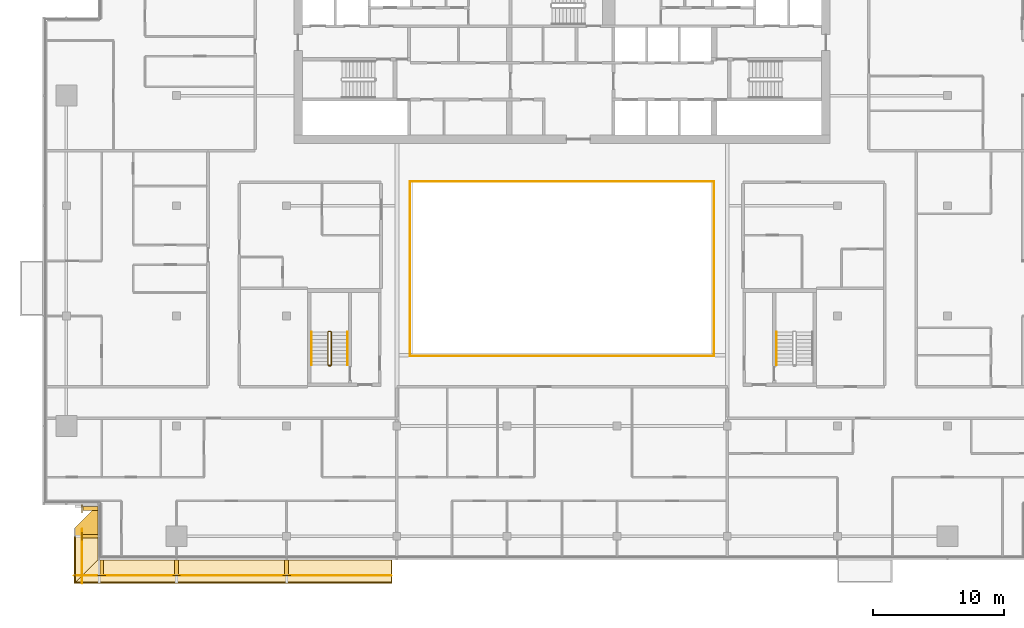
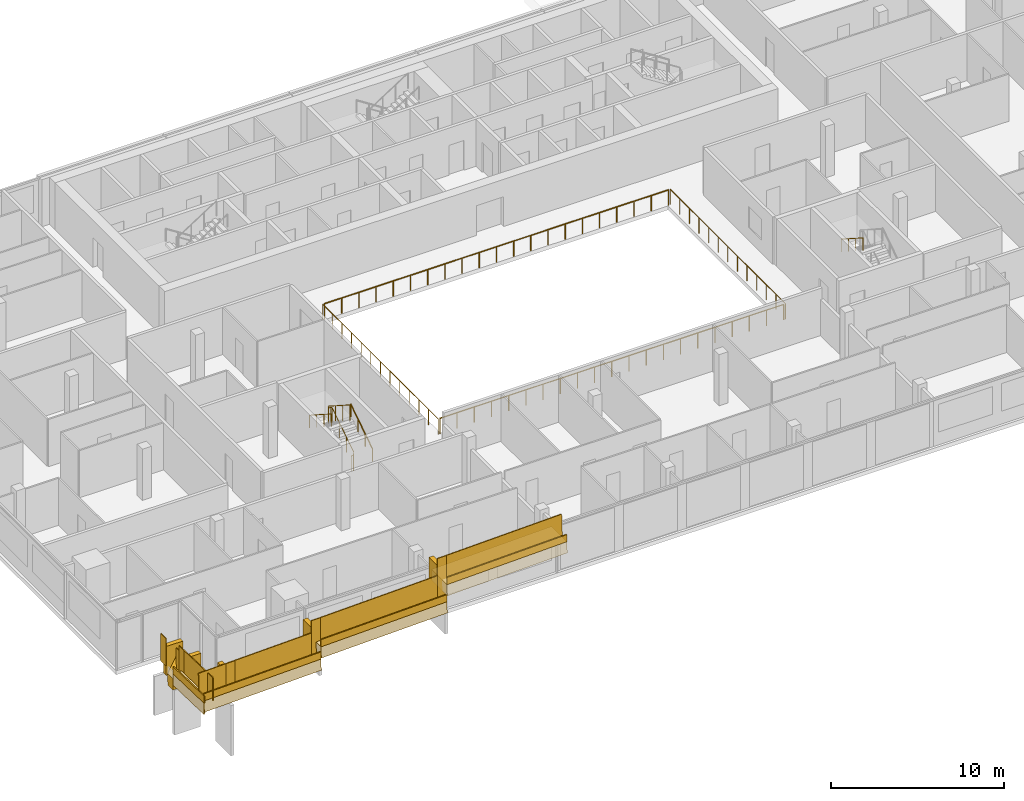
# One storey, part 25 of 29: 18 railings, 14 coverings.
"""IFC4 building model written with IfcOpenShell, lengths in metres."""

from ifc_helpers import new_model, si_unit, direction, frame, origin, origin_2d, place, context, subcontext, project, spatial, polyline, rectangle, circle, outline, extrude, material, layer, layer_set, type_object, element, save


model = new_model("IFC4")

# Units and contexts
model_context = context("Model", 3, precision=1e-05, world=origin(), true_north=direction((0.0, 1.0)))
body_context = subcontext(model_context, "Body", "Model", "MODEL_VIEW")
ifc_project = project(units=[si_unit("LENGTHUNIT", "METRE"), si_unit("AREAUNIT", "SQUARE_METRE"), si_unit("VOLUMEUNIT", "CUBIC_METRE"), si_unit("PLANEANGLEUNIT", "RADIAN"), si_unit("MASSUNIT", "GRAM", prefix="KILO")], contexts=[model_context])

# Site, building, storey
site_placement = place(None, origin())
site = spatial("IfcSite", under=ifc_project, at=site_placement, CompositionType="ELEMENT")
building_placement = place(site_placement, origin())
building = spatial("IfcBuilding", under=site, at=building_placement, Name="Saffron Gate Tower", CompositionType="ELEMENT")
storey_placement = place(building_placement, frame((0.0, 0.0, 227.10009765625)))
storey = spatial("IfcBuildingStorey", under=building, at=storey_placement, Name="L55", CompositionType="ELEMENT", Elevation=227.10009765625)

# Railings
ifc_material_1 = material(Name="Stainless steel and laminated glass", Category="steel")
railing_type_1 = type_object("IfcRailingType", Name="AG1 Atrium edge guard 1100", PredefinedType="GUARDRAIL", material=ifc_material_1)
railing_1_placement = place(storey_placement, frame((76.02001953125, 45.5400390625, 0.0)))
element("IfcRailing", 1, at=railing_1_placement, inside=storey, type_object=railing_type_1, Name="Guard D3-1", PredefinedType="GUARDRAIL", context=body_context, shape_type="SweptSolid", body=[
    extrude(circle(Radius=0.02392578125, at=origin_2d()), frame((0.0, 0.0, 1.076171875), z_axis=(0.0, 1.0, 0.0), x_axis=(-1.0, 0.0, 0.0)), (0.0, 0.0, 1.0), 13.320068359375),
    extrude(circle(Radius=0.02099609375, at=origin_2d()), origin(), (0.0, 0.0, 1.0), 1.052001953125),
    extrude(circle(Radius=0.02099609375, at=origin_2d()), frame((0.0, 1.110107421875, 0.0)), (0.0, 0.0, 1.0), 1.052001953125),
    extrude(circle(Radius=0.02099609375, at=origin_2d()), frame((0.0, 2.219970703125, 0.0)), (0.0, 0.0, 1.0), 1.052001953125),
    extrude(circle(Radius=0.02099609375, at=origin_2d()), frame((0.0, 3.330078125, 0.0)), (0.0, 0.0, 1.0), 1.052001953125),
    extrude(circle(Radius=0.02099609375, at=origin_2d()), frame((0.0, 4.43994140625, 0.0)), (0.0, 0.0, 1.0), 1.052001953125),
    extrude(circle(Radius=0.02099609375, at=origin_2d()), frame((0.0, 5.550048828125, 0.0)), (0.0, 0.0, 1.0), 1.052001953125),
    extrude(circle(Radius=0.02099609375, at=origin_2d()), frame((0.0, 6.66015625, 0.0)), (0.0, 0.0, 1.0), 1.052001953125),
    extrude(circle(Radius=0.02099609375, at=origin_2d()), frame((0.0, 7.77001953125, 0.0)), (0.0, 0.0, 1.0), 1.052001953125),
    extrude(circle(Radius=0.02099609375, at=origin_2d()), frame((0.0, 8.880126953125, 0.0)), (0.0, 0.0, 1.0), 1.052001953125),
    extrude(circle(Radius=0.02099609375, at=origin_2d()), frame((0.0, 9.989990234375, 0.0)), (0.0, 0.0, 1.0), 1.052001953125),
    extrude(circle(Radius=0.02099609375, at=origin_2d()), frame((0.0, 11.10009765625, 0.0)), (0.0, 0.0, 1.0), 1.052001953125),
    extrude(circle(Radius=0.02099609375, at=origin_2d()), frame((0.0, 12.2099609375, 0.0)), (0.0, 0.0, 1.0), 1.052001953125),
    extrude(circle(Radius=0.02099609375, at=origin_2d()), frame((0.0, 13.320068359375, 0.0)), (0.0, 0.0, 1.0), 1.052001953125),
])
railing_2_placement = place(storey_placement, frame((76.139892578125, 58.860107421875, 0.0)))
element("IfcRailing", 2, at=railing_2_placement, inside=storey, type_object=railing_type_1, Name="Guard D3-2", PredefinedType="GUARDRAIL", context=body_context, shape_type="SweptSolid", body=[
    extrude(circle(Radius=0.02392578125, at=origin_2d()), frame((0.0, 0.0, 1.076171875), z_axis=(1.0, 0.0, 0.0), x_axis=(0.0, 1.0, 0.0)), (0.0, 0.0, 1.0), 22.920166015625),
    extrude(circle(Radius=0.02099609375, at=origin_2d()), origin(), (0.0, 0.0, 1.0), 1.052001953125),
    extrude(circle(Radius=0.02099609375, at=origin_2d()), frame((1.14599609375, 0.0, 0.0)), (0.0, 0.0, 1.0), 1.052001953125),
    extrude(circle(Radius=0.02099609375, at=origin_2d()), frame((2.2919921875, 0.0, 0.0)), (0.0, 0.0, 1.0), 1.052001953125),
    extrude(circle(Radius=0.02099609375, at=origin_2d()), frame((3.43798828125, 0.0, 0.0)), (0.0, 0.0, 1.0), 1.052001953125),
    extrude(circle(Radius=0.02099609375, at=origin_2d()), frame((4.583984375, 0.0, 0.0)), (0.0, 0.0, 1.0), 1.052001953125),
    extrude(circle(Radius=0.02099609375, at=origin_2d()), frame((5.72998046875, 0.0, 0.0)), (0.0, 0.0, 1.0), 1.052001953125),
    extrude(circle(Radius=0.02099609375, at=origin_2d()), frame((6.8759765625, 0.0, 0.0)), (0.0, 0.0, 1.0), 1.052001953125),
    extrude(circle(Radius=0.02099609375, at=origin_2d()), frame((8.02197265625, 0.0, 0.0)), (0.0, 0.0, 1.0), 1.052001953125),
    extrude(circle(Radius=0.02099609375, at=origin_2d()), frame((9.16796875, 0.0, 0.0)), (0.0, 0.0, 1.0), 1.052001953125),
    extrude(circle(Radius=0.02099609375, at=origin_2d()), frame((10.31396484375, 0.0, 0.0)), (0.0, 0.0, 1.0), 1.052001953125),
    extrude(circle(Radius=0.02099609375, at=origin_2d()), frame((11.4599609375, 0.0, 0.0)), (0.0, 0.0, 1.0), 1.052001953125),
    extrude(circle(Radius=0.02099609375, at=origin_2d()), frame((12.606201171875, 0.0, 0.0)), (0.0, 0.0, 1.0), 1.052001953125),
    extrude(circle(Radius=0.02099609375, at=origin_2d()), frame((13.752197265625, 0.0, 0.0)), (0.0, 0.0, 1.0), 1.052001953125),
    extrude(circle(Radius=0.02099609375, at=origin_2d()), frame((14.898193359375, 0.0, 0.0)), (0.0, 0.0, 1.0), 1.052001953125),
    extrude(circle(Radius=0.02099609375, at=origin_2d()), frame((16.044189453125, 0.0, 0.0)), (0.0, 0.0, 1.0), 1.052001953125),
    extrude(circle(Radius=0.02099609375, at=origin_2d()), frame((17.190185546875, 0.0, 0.0)), (0.0, 0.0, 1.0), 1.052001953125),
    extrude(circle(Radius=0.02099609375, at=origin_2d()), frame((18.336181640625, 0.0, 0.0)), (0.0, 0.0, 1.0), 1.052001953125),
    extrude(circle(Radius=0.02099609375, at=origin_2d()), frame((19.482177734375, 0.0, 0.0)), (0.0, 0.0, 1.0), 1.052001953125),
    extrude(circle(Radius=0.02099609375, at=origin_2d()), frame((20.628173828125, 0.0, 0.0)), (0.0, 0.0, 1.0), 1.052001953125),
    extrude(circle(Radius=0.02099609375, at=origin_2d()), frame((21.774169921875, 0.0, 0.0)), (0.0, 0.0, 1.0), 1.052001953125),
    extrude(circle(Radius=0.02099609375, at=origin_2d()), frame((22.920166015625, 0.0, 0.0)), (0.0, 0.0, 1.0), 1.052001953125),
])
railing_3_placement = place(storey_placement, frame((99.179931640625, 58.860107421875, 0.0)))
element("IfcRailing", 3, at=railing_3_placement, inside=storey, type_object=railing_type_1, Name="Guard D3-3", PredefinedType="GUARDRAIL", context=body_context, shape_type="SweptSolid", body=[
    extrude(circle(Radius=0.02392578125, at=origin_2d()), frame((0.0, 0.0, 1.076171875), z_axis=(0.0, -1.0, 0.0), x_axis=(1.0, 0.0, 0.0)), (0.0, 0.0, 1.0), 13.320068359375),
    extrude(circle(Radius=0.02099609375, at=origin_2d()), origin(), (0.0, 0.0, 1.0), 1.052001953125),
    extrude(circle(Radius=0.02099609375, at=origin_2d()), frame((0.0, -1.110107421875, 0.0)), (0.0, 0.0, 1.0), 1.052001953125),
    extrude(circle(Radius=0.02099609375, at=origin_2d()), frame((0.0, -2.219970703125, 0.0)), (0.0, 0.0, 1.0), 1.052001953125),
    extrude(circle(Radius=0.02099609375, at=origin_2d()), frame((0.0, -3.330078125, 0.0)), (0.0, 0.0, 1.0), 1.052001953125),
    extrude(circle(Radius=0.02099609375, at=origin_2d()), frame((0.0, -4.43994140625, 0.0)), (0.0, 0.0, 1.0), 1.052001953125),
    extrude(circle(Radius=0.02099609375, at=origin_2d()), frame((0.0, -5.550048828125, 0.0)), (0.0, 0.0, 1.0), 1.052001953125),
    extrude(circle(Radius=0.02099609375, at=origin_2d()), frame((0.0, -6.66015625, 0.0)), (0.0, 0.0, 1.0), 1.052001953125),
    extrude(circle(Radius=0.02099609375, at=origin_2d()), frame((0.0, -7.77001953125, 0.0)), (0.0, 0.0, 1.0), 1.052001953125),
    extrude(circle(Radius=0.02099609375, at=origin_2d()), frame((0.0, -8.880126953125, 0.0)), (0.0, 0.0, 1.0), 1.052001953125),
    extrude(circle(Radius=0.02099609375, at=origin_2d()), frame((0.0, -9.989990234375, 0.0)), (0.0, 0.0, 1.0), 1.052001953125),
    extrude(circle(Radius=0.02099609375, at=origin_2d()), frame((0.0, -11.10009765625, 0.0)), (0.0, 0.0, 1.0), 1.052001953125),
    extrude(circle(Radius=0.02099609375, at=origin_2d()), frame((0.0, -12.2099609375, 0.0)), (0.0, 0.0, 1.0), 1.052001953125),
    extrude(circle(Radius=0.02099609375, at=origin_2d()), frame((0.0, -13.320068359375, 0.0)), (0.0, 0.0, 1.0), 1.052001953125),
])
railing_4_placement = place(storey_placement, frame((99.06005859375, 45.5400390625, 0.0)))
element("IfcRailing", 4, at=railing_4_placement, inside=storey, type_object=railing_type_1, Name="Guard D3-4", PredefinedType="GUARDRAIL", context=body_context, shape_type="SweptSolid", body=[
    extrude(circle(Radius=0.02392578125, at=origin_2d()), frame((0.0, 0.0, 1.076171875), z_axis=(-1.0, 0.0, 0.0), x_axis=(0.0, -1.0, 0.0)), (0.0, 0.0, 1.0), 22.920166015625),
    extrude(circle(Radius=0.02099609375, at=origin_2d()), origin(), (0.0, 0.0, 1.0), 1.052001953125),
    extrude(circle(Radius=0.02099609375, at=origin_2d()), frame((-1.14599609375, 0.0, 0.0)), (0.0, 0.0, 1.0), 1.052001953125),
    extrude(circle(Radius=0.02099609375, at=origin_2d()), frame((-2.2919921875, 0.0, 0.0)), (0.0, 0.0, 1.0), 1.052001953125),
    extrude(circle(Radius=0.02099609375, at=origin_2d()), frame((-3.43798828125, 0.0, 0.0)), (0.0, 0.0, 1.0), 1.052001953125),
    extrude(circle(Radius=0.02099609375, at=origin_2d()), frame((-4.583984375, 0.0, 0.0)), (0.0, 0.0, 1.0), 1.052001953125),
    extrude(circle(Radius=0.02099609375, at=origin_2d()), frame((-5.72998046875, 0.0, 0.0)), (0.0, 0.0, 1.0), 1.052001953125),
    extrude(circle(Radius=0.02099609375, at=origin_2d()), frame((-6.8759765625, 0.0, 0.0)), (0.0, 0.0, 1.0), 1.052001953125),
    extrude(circle(Radius=0.02099609375, at=origin_2d()), frame((-8.02197265625, 0.0, 0.0)), (0.0, 0.0, 1.0), 1.052001953125),
    extrude(circle(Radius=0.02099609375, at=origin_2d()), frame((-9.16796875, 0.0, 0.0)), (0.0, 0.0, 1.0), 1.052001953125),
    extrude(circle(Radius=0.02099609375, at=origin_2d()), frame((-10.31396484375, 0.0, 0.0)), (0.0, 0.0, 1.0), 1.052001953125),
    extrude(circle(Radius=0.02099609375, at=origin_2d()), frame((-11.4599609375, 0.0, 0.0)), (0.0, 0.0, 1.0), 1.052001953125),
    extrude(circle(Radius=0.02099609375, at=origin_2d()), frame((-12.606201171875, 0.0, 0.0)), (0.0, 0.0, 1.0), 1.052001953125),
    extrude(circle(Radius=0.02099609375, at=origin_2d()), frame((-13.752197265625, 0.0, 0.0)), (0.0, 0.0, 1.0), 1.052001953125),
    extrude(circle(Radius=0.02099609375, at=origin_2d()), frame((-14.898193359375, 0.0, 0.0)), (0.0, 0.0, 1.0), 1.052001953125),
    extrude(circle(Radius=0.02099609375, at=origin_2d()), frame((-16.044189453125, 0.0, 0.0)), (0.0, 0.0, 1.0), 1.052001953125),
    extrude(circle(Radius=0.02099609375, at=origin_2d()), frame((-17.190185546875, 0.0, 0.0)), (0.0, 0.0, 1.0), 1.052001953125),
    extrude(circle(Radius=0.02099609375, at=origin_2d()), frame((-18.336181640625, 0.0, 0.0)), (0.0, 0.0, 1.0), 1.052001953125),
    extrude(circle(Radius=0.02099609375, at=origin_2d()), frame((-19.482177734375, 0.0, 0.0)), (0.0, 0.0, 1.0), 1.052001953125),
    extrude(circle(Radius=0.02099609375, at=origin_2d()), frame((-20.628173828125, 0.0, 0.0)), (0.0, 0.0, 1.0), 1.052001953125),
    extrude(circle(Radius=0.02099609375, at=origin_2d()), frame((-21.774169921875, 0.0, 0.0)), (0.0, 0.0, 1.0), 1.052001953125),
    extrude(circle(Radius=0.02099609375, at=origin_2d()), frame((-22.920166015625, 0.0, 0.0)), (0.0, 0.0, 1.0), 1.052001953125),
])
railing_type_2 = type_object("IfcRailingType", Name="CR1 Stair guard 1100", PredefinedType="GUARDRAIL", material=ifc_material_1)
railing_5_placement = place(storey_placement, frame((69.800048828125, 44.800048828125, 0.0)))
element("IfcRailing", 5, at=railing_5_placement, inside=storey, type_object=railing_type_2, Name="L55 ST-D stair guard 1", PredefinedType="GUARDRAIL", context=body_context, shape_type="SweptSolid", body=[
    extrude(circle(Radius=0.02392578125, at=origin_2d()), frame((0.0, 0.0, 1.076171875), z_axis=(1.0, 0.0, 0.0), x_axis=(0.0, 1.0, 0.0)), (0.0, 0.0, 1.0), 0.14990234375),
    extrude(circle(Radius=0.02392578125, at=origin_2d()), frame((0.14990234375, 0.0, 1.076171875), z_axis=(0.258847668887, 0.258847668887, 0.930588936439), x_axis=(-0.707106781187, 0.707106781187, 0.0)), (0.0, 0.0, 1.0), 0.193359375),
    extrude(circle(Radius=0.02392578125, at=origin_2d()), frame((0.199951171875, 0.050048828125, 1.255859375), z_axis=(0.0, 0.841199657755, 0.540724639528), x_axis=(-1.0, 0.0, 0.0)), (0.0, 0.0, 1.0), 2.995849609375),
    extrude(circle(Radius=0.02392578125, at=origin_2d()), frame((0.199951171875, 2.570068359375, 2.8759765625), z_axis=(-0.708833529934, 0.705375805398, 0.0), x_axis=(-0.705375805398, -0.708833529934, 0.0)), (0.0, 0.0, 1.0), 0.070556640625),
    extrude(circle(Radius=0.02392578125, at=origin_2d()), frame((0.14990234375, 2.619873046875, 2.8759765625), z_axis=(-1.0, 0.0, 0.0), x_axis=(0.0, -1.0, 0.0)), (0.0, 0.0, 1.0), 0.14990234375),
    extrude(circle(Radius=0.02392578125, at=origin_2d()), frame((0.0, 2.619873046875, 2.8759765625), z_axis=(-0.258627984543, -0.257366384619, 0.931060744355), x_axis=(0.705375805398, -0.708833529934, 0.0)), (0.0, 0.0, 1.0), 0.193603515625),
    extrude(circle(Radius=0.02392578125, at=origin_2d()), frame((-0.050048828125, 2.570068359375, 3.05615234375), z_axis=(0.0, -0.841199657755, 0.540724639528), x_axis=(1.0, 0.0, 0.0)), (0.0, 0.0, 1.0), 2.995849609375),
    extrude(circle(Radius=0.02099609375, at=origin_2d()), origin(), (0.0, 0.0, 1.0), 1.052001953125),
    extrude(circle(Radius=0.02099609375, at=origin_2d()), frame((0.14990234375, 0.0, 0.0)), (0.0, 0.0, 1.0), 1.052001953125),
    extrude(circle(Radius=0.02099609375, at=origin_2d()), frame((0.199951171875, 0.050048828125, 0.179931640625)), (0.0, 0.0, 1.0), 1.052001953125),
    extrude(circle(Radius=0.02099609375, at=origin_2d()), frame((0.199951171875, 0.89013671875, 0.719970703125)), (0.0, 0.0, 1.0), 1.052001953125),
    extrude(circle(Radius=0.02099609375, at=origin_2d()), frame((0.199951171875, 1.72998046875, 1.259765625)), (0.0, 0.0, 1.0), 1.052001953125),
    extrude(circle(Radius=0.02099609375, at=origin_2d()), frame((0.199951171875, 2.570068359375, 1.7998046875)), (0.0, 0.0, 1.0), 1.052001953125),
    extrude(circle(Radius=0.02099609375, at=origin_2d()), frame((0.14990234375, 2.619873046875, 1.7998046875)), (0.0, 0.0, 1.0), 1.052001953125),
    extrude(circle(Radius=0.02099609375, at=origin_2d()), frame((0.0, 2.619873046875, 1.7998046875)), (0.0, 0.0, 1.0), 1.052001953125),
    extrude(circle(Radius=0.02099609375, at=origin_2d()), frame((-0.050048828125, 2.570068359375, 1.97998046875)), (0.0, 0.0, 1.0), 1.052001953125),
    extrude(circle(Radius=0.02099609375, at=origin_2d()), frame((-0.050048828125, 1.72998046875, 2.52001953125)), (0.0, 0.0, 1.0), 1.052001953125),
    extrude(circle(Radius=0.02099609375, at=origin_2d()), frame((-0.050048828125, 0.89013671875, 3.059814453125)), (0.0, 0.0, 1.0), 1.052001953125),
    extrude(circle(Radius=0.02099609375, at=origin_2d()), frame((-0.050048828125, 0.050048828125, 3.599853515625)), (0.0, 0.0, 1.0), 1.052001953125),
])
ifc_material_2 = material(Name="Stainless steel", Category="steel")
railing_type_3 = type_object("IfcRailingType", Name="CR2 Stair handrail 900", PredefinedType="HANDRAIL", material=ifc_material_2)
railing_6_placement = place(storey_placement, frame((71.25, 44.85009765625, 0.179931640625)))
element("IfcRailing", 6, at=railing_6_placement, inside=storey, type_object=railing_type_3, Name="L55 ST-D stair handrail 1", PredefinedType="HANDRAIL", context=body_context, shape_type="SweptSolid", body=[
    extrude(circle(Radius=0.02392578125, at=origin_2d()), frame((0.0, 0.0, 0.8759765625), z_axis=(0.0, 0.841199657755, 0.540724639528), x_axis=(-1.0, 0.0, 0.0)), (0.0, 0.0, 1.0), 2.995849609375),
    extrude(circle(Radius=0.02099609375, at=origin_2d()), origin(), (0.0, 0.0, 1.0), 0.851806640625),
    extrude(circle(Radius=0.02099609375, at=origin_2d()), frame((0.0, 0.840087890625, 0.5400390625)), (0.0, 0.0, 1.0), 0.851806640625),
    extrude(circle(Radius=0.02099609375, at=origin_2d()), frame((0.0, 1.679931640625, 1.079833984375)), (0.0, 0.0, 1.0), 0.851806640625),
    extrude(circle(Radius=0.02099609375, at=origin_2d()), frame((0.0, 2.52001953125, 1.619873046875)), (0.0, 0.0, 1.0), 0.851806640625),
])
for number, where, name in (
    (7, (68.5, 47.3701171875, 1.97998046875), "L55 ST-D stair handrail 2"),
    (8, (103.949951171875, 47.3701171875, 1.97998046875), "L55 ST-E stair handrail 2"),
):
    element("IfcRailing", number, at=place(storey_placement, frame(where)), inside=storey, type_object=railing_type_3, Name=name, PredefinedType="HANDRAIL", context=body_context, shape_type="SweptSolid", body=[
        extrude(circle(Radius=0.02392578125, at=origin_2d()), frame((0.0, 0.0, 0.8759765625), z_axis=(0.0, -0.841199657755, 0.540724639528), x_axis=(1.0, 0.0, 0.0)), (0.0, 0.0, 1.0), 2.995849609375),
        extrude(circle(Radius=0.02099609375, at=origin_2d()), origin(), (0.0, 0.0, 1.0), 0.851806640625),
        extrude(circle(Radius=0.02099609375, at=origin_2d()), frame((0.0, -0.840087890625, 0.5400390625)), (0.0, 0.0, 1.0), 0.851806640625),
        extrude(circle(Radius=0.02099609375, at=origin_2d()), frame((0.0, -1.679931640625, 1.079833984375)), (0.0, 0.0, 1.0), 0.851806640625),
        extrude(circle(Radius=0.02099609375, at=origin_2d()), frame((0.0, -2.52001953125, 1.619873046875)), (0.0, 0.0, 1.0), 0.851806640625),
    ])

# Coverings
ifc_material_3 = material(Name="Timber, thermally modified ash", Category="wood")
ifc_layer_1 = layer(ifc_material_3, 0.800048828125)
ifc_layer_set_1 = layer_set([ifc_layer_1], Name="LD1 ledge timber")
covering_type_1 = type_object("IfcCoveringType", Name="LD1 ledge timber", PredefinedType="CLADDING", material=ifc_layer_set_1)
covering_1_placement = place(storey_placement, frame((52.199951171875, 34.199951171875, 0.0078125), z_axis=(-2.8677152e-05, 0.028798988267, 0.999585222706), x_axis=(-6.17e-10, -0.999585223117, 0.028798988279)))
element("IfcCovering", 9, at=covering_1_placement, inside=storey, type_object=covering_type_1, Name="LEDGE", PredefinedType="CLADDING", context=body_context, shape_type="SweptSolid", body=[
    extrude(outline(polyline([(0.0, 0.0), (2.400896693585025, -4.235164736271502e-22), (2.400896694694882, -1.8000488273848385), (1.8007927832284332, -1.8000488292351673), (0.0, 0.0)])), origin(), (0.0, 0.0, -1.0), 0.800048828125),
])
covering_2_placement = place(storey_placement, frame((52.199951171875, 31.800048828125, 0.419921875), z_axis=(0.0, 0.028741681402, 0.999586872538), x_axis=(0.0, -0.999586872538, 0.028741681402)))
element("IfcCovering", 10, at=covering_2_placement, inside=storey, type_object=covering_type_1, Name="LEDGE", PredefinedType="CLADDING", context=body_context, shape_type="SweptSolid", body=[
    extrude(outline(polyline([(0.0, 0.0), (1.8007927850779974, 0.0), (3.601585570155995, -1.800048828125), (0.0, -1.800048828125), (0.0, 0.0)])), origin(), (0.0, 0.0, -1.0), 0.800048828125),
])
covering_3_placement = place(storey_placement, frame((52.199951171875, 30.0, 0.72900390625), z_axis=(-0.028807146299, -3.5027307e-05, 0.99958498743), x_axis=(0.999584988043, -3.68e-10, 0.028807146316)))
element("IfcCovering", 11, at=covering_3_placement, inside=storey, type_object=covering_type_1, Name="LEDGE", PredefinedType="CLADDING", context=body_context, shape_type="SweptSolid", body=[
    extrude(outline(polyline([(0.0, 0.0), (6.0024892885105, 2.541098841762901e-21), (6.002489289172793, -1.8000488270207489), (-1.800799813548424, -1.8000488321003227), (0.0, 0.0)])), origin(), (0.0, 0.0, -1.0), 0.800048828125),
])
covering_4_placement = place(storey_placement, frame((58.199951171875, 30.0, 1.75927734375), z_axis=(-0.028790339263, 0.0, 0.999585472266), x_axis=(0.999585472266, 0.0, 0.028790339263)))
element("IfcCovering", 12, at=covering_4_placement, inside=storey, type_object=covering_type_1, Name="LEDGE", PredefinedType="CLADDING", context=body_context, shape_type="SweptSolid", body=[
    extrude(outline(polyline([(0.0, 0.0), (8.403630022085892, 0.0), (8.403630022085892, -1.800048828125), (0.0, -1.800048828125), (0.0, 0.0)])), origin(), (0.0, 0.0, -1.0), 0.800048828125),
])
covering_5_placement = place(storey_placement, frame((66.60009765625, 30.0, 3.201416015625), z_axis=(-0.028796646555, 0.0, 0.999585290582), x_axis=(0.999585290582, 0.0, 0.028796646555)))
element("IfcCovering", 13, at=covering_5_placement, inside=storey, type_object=covering_type_1, Name="LEDGE", PredefinedType="CLADDING", context=body_context, shape_type="SweptSolid", body=[
    extrude(outline(polyline([(0.0, 0.0), (8.003319051788862, 0.0), (8.003319051788862, -1.800048828125), (0.0, -1.800048828125), (0.0, 0.0)])), origin(), (0.0, 0.0, -1.0), 0.800048828125),
])
ifc_layer_2 = layer(ifc_material_3, 0.080078125)
ifc_layer_set_2 = layer_set([ifc_layer_2], Name="LD2 ledge planter trough")
covering_type_2 = type_object("IfcCoveringType", Name="LD2 ledge planter trough", PredefinedType="CLADDING", material=ifc_layer_set_2)
covering_6_placement = place(storey_placement, frame((50.39990234375, 31.800048828125, 0.419921875), z_axis=(-1.0, 0.0, 0.0), x_axis=(0.0, -0.999586872538, 0.028741681402)))
element("IfcCovering", 14, at=covering_6_placement, inside=storey, type_object=covering_type_2, Name="LEDGE planter trough", PredefinedType="CLADDING", context=body_context, shape_type="SweptSolid", body=[
    extrude(outline(polyline([(0.0, 0.0), (3.601585570155995, 0.0), (3.6159564108570694, 0.49979343626896944), (0.014370840701074394, 0.4997934362689694), (0.0, 0.0)])), origin(), (0.0, 0.0, -1.0), 0.080078125),
])
covering_7_placement = place(storey_placement, frame((50.39990234375, 28.199951171875, 0.677001953125), z_axis=(0.0, -1.0, 0.0), x_axis=(0.999584755248, 0.0, 0.028815222999)))
element("IfcCovering", 15, at=covering_7_placement, inside=storey, type_object=covering_type_2, Name="LEDGE planter trough", PredefinedType="CLADDING", context=body_context, shape_type="SweptSolid", body=[
    extrude(outline(polyline([(0.0, 0.0), (7.803289102975944, 0.0), (7.8176967144752565, 0.4997923776238338), (0.014407611499312996, 0.4997923776238338), (0.0, 0.0)])), origin(), (0.0, 0.0, -1.0), 0.080078125),
])
covering_8_placement = place(storey_placement, frame((58.199951171875, 28.199951171875, 1.75927734375), z_axis=(0.0, -1.0, 0.0), x_axis=(0.999585472266, 0.0, 0.028790339263)))
element("IfcCovering", 16, at=covering_8_placement, inside=storey, type_object=covering_type_2, Name="LEDGE planter trough", PredefinedType="CLADDING", context=body_context, shape_type="SweptSolid", body=[
    extrude(outline(polyline([(0.0, 0.0), (8.403630022085892, 0.0), (8.418025191717298, 0.4997927361329725), (0.014395169631405694, 0.4997927361329725), (0.0, 0.0)])), origin(), (0.0, 0.0, -1.0), 0.080078125),
])
covering_9_placement = place(storey_placement, frame((66.60009765625, 28.199951171875, 3.201416015625), z_axis=(0.0, -1.0, 0.0), x_axis=(0.999585290582, 0.0, 0.028796646555)))
element("IfcCovering", 17, at=covering_9_placement, inside=storey, type_object=covering_type_2, Name="LEDGE planter trough", PredefinedType="CLADDING", context=body_context, shape_type="SweptSolid", body=[
    extrude(outline(polyline([(0.0, 0.0), (8.003319051788862, 0.0), (8.017717375066283, 0.4997926452908234), (0.014398323277421184, 0.49979264529082346), (0.0, 0.0)])), origin(), (0.0, 0.0, -1.0), 0.080078125),
])
ifc_layer_3 = layer(ifc_material_3, 0.300048828125)
ifc_layer_set_3 = layer_set([ifc_layer_3], Name="LD3 ledge riser fin")
covering_type_3 = type_object("IfcCoveringType", Name="LD3 ledge riser fin", PredefinedType="CLADDING", material=ifc_layer_set_3)
for number, where, z_axis, x_axis, name in (
    (18, (51.639892578125, 33.89990234375, -1.13525390625), (0.0, 0.0, 1.0), (0.0, -1.0, 0.0), "LEDGE riser fin"),
    (19, (51.639892578125, 31.800048828125, -0.72314453125), (0.0, 0.0, 1.0), (0.0, -1.0, 0.0), "LEDGE riser fin"),
):
    element("IfcCovering", number, at=place(storey_placement, frame(where, z_axis=z_axis, x_axis=x_axis)), inside=storey, type_object=covering_type_3, Name=name, PredefinedType="CLADDING", context=body_context, shape_type="SweptSolid", body=[
        extrude(rectangle(XDim=0.300048828125, YDim=1.1201171875, at=origin_2d()), origin(), (0.0, 0.0, 1.0), 2.04296875),
    ])
covering_10_placement = place(storey_placement, frame((52.5, 29.43994140625, -0.328125), z_axis=(0.0, 0.0, 1.0), x_axis=(1.0, 0.0, 0.0)))
element("IfcCovering", 20, at=covering_10_placement, inside=storey, type_object=covering_type_3, Name="LEDGE riser fin", PredefinedType="CLADDING", context=body_context, shape_type="SweptSolid", body=[
    extrude(rectangle(XDim=0.300048828125, YDim=1.1201171875, at=origin_2d()), origin(), (0.0, 0.0, 1.0), 1.957275390625),
])
covering_11_placement = place(storey_placement, frame((58.199951171875, 29.43994140625, 0.1015625), z_axis=(0.0, 0.0, 1.0), x_axis=(1.0, 0.0, 0.0)))
element("IfcCovering", 21, at=covering_11_placement, inside=storey, type_object=covering_type_3, Name="LEDGE riser fin", PredefinedType="CLADDING", context=body_context, shape_type="SweptSolid", body=[
    extrude(rectangle(XDim=0.300048828125, YDim=1.1201171875, at=origin_2d()), origin(), (0.0, 0.0, 1.0), 2.557373046875),
])
covering_12_placement = place(storey_placement, frame((66.60009765625, 29.43994140625, 1.201171875), z_axis=(0.0, 0.0, 1.0), x_axis=(1.0, 0.0, 0.0)))
element("IfcCovering", 22, at=covering_12_placement, inside=storey, type_object=covering_type_3, Name="LEDGE riser fin", PredefinedType="CLADDING", context=body_context, shape_type="SweptSolid", body=[
    extrude(rectangle(XDim=0.300048828125, YDim=1.1201171875, at=origin_2d()), origin(), (0.0, 0.0, 1.0), 2.900390625),
])

# Railings
railing_type_4 = type_object("IfcRailingType", Name="LG1 ledge balustrade", PredefinedType="BALUSTRADE", material=ifc_material_3)
railing_7_placement = place(storey_placement, frame((51.0, 32.39990234375, 0.0595703125)))
element("IfcRailing", 23, at=railing_7_placement, inside=storey, type_object=railing_type_4, Name="LEDGE BALUSTRADE", PredefinedType="BALUSTRADE", context=body_context, shape_type="SweptSolid", body=[
    extrude(rectangle(XDim=0.06005859375, YDim=1.60009765625, at=origin_2d()), frame((0.0, 0.0, 0.800048828125), z_axis=(0.0, -0.999582742162, 0.028884971385), x_axis=(1.0, 0.0, 0.0)), (0.0, 0.0, 1.0), 0.60009765625),
])
railing_8_placement = place(storey_placement, frame((51.0, 34.199951171875, -0.335205078125)))
element("IfcRailing", 24, at=railing_8_placement, inside=storey, type_object=railing_type_4, Name="LEDGE BALUSTRADE", PredefinedType="BALUSTRADE", context=body_context, shape_type="SweptSolid", body=[
    extrude(rectangle(XDim=0.06005859375, YDim=1.943115234375, at=origin_2d()), frame((0.0, 0.0, 0.9716796875), z_axis=(0.0, -1.0, 0.0), x_axis=(1.0, 0.0, 0.0)), (0.0, 0.0, 1.0), 0.599853515625),
])
railing_9_placement = place(storey_placement, frame((51.0, 31.800048828125, 0.419921875)))
element("IfcRailing", 25, at=railing_9_placement, inside=storey, type_object=railing_type_4, Name="LEDGE BALUSTRADE", PredefinedType="BALUSTRADE", context=body_context, shape_type="SweptSolid", body=[
    extrude(rectangle(XDim=0.06005859375, YDim=1.60009765625, at=origin_2d()), frame((0.0, 0.0, 0.800048828125), z_axis=(0.0, -0.999586872538, 0.028741681402), x_axis=(1.0, 0.0, 0.0)), (0.0, 0.0, 1.0), 3.6015625),
])
railing_10_placement = place(storey_placement, frame((51.0, 32.10009765625, 0.076904296875)))
element("IfcRailing", 26, at=railing_10_placement, inside=storey, type_object=railing_type_4, Name="LEDGE BALUSTRADE", PredefinedType="BALUSTRADE", context=body_context, shape_type="SweptSolid", body=[
    extrude(rectangle(XDim=0.06005859375, YDim=1.943115234375, at=origin_2d()), frame((0.0, 0.0, 0.9716796875), z_axis=(0.0, -1.0, 0.0), x_axis=(1.0, 0.0, 0.0)), (0.0, 0.0, 1.0), 0.60009765625),
])
railing_11_placement = place(storey_placement, frame((50.39990234375, 28.800048828125, 0.677001953125)))
element("IfcRailing", 27, at=railing_11_placement, inside=storey, type_object=railing_type_4, Name="LEDGE BALUSTRADE", PredefinedType="BALUSTRADE", context=body_context, shape_type="SweptSolid", body=[
    extrude(rectangle(XDim=0.06005859375, YDim=1.60009765625, at=origin_2d()), frame((0.0, 0.0, 0.800048828125), z_axis=(0.999584755248, 0.0, 0.028815222999), x_axis=(0.0, 1.0, 0.0)), (0.0, 0.0, 1.0), 7.80322265625),
])
railing_12_placement = place(storey_placement, frame((52.199951171875, 28.800048828125, 0.4716796875)))
element("IfcRailing", 28, at=railing_12_placement, inside=storey, type_object=railing_type_4, Name="LEDGE BALUSTRADE", PredefinedType="BALUSTRADE", context=body_context, shape_type="SweptSolid", body=[
    extrude(rectangle(XDim=0.06005859375, YDim=1.857177734375, at=origin_2d()), frame((0.0, 0.0, 0.9287109375), z_axis=(1.0, 0.0, 0.0), x_axis=(0.0, 1.0, 0.0)), (0.0, 0.0, 1.0), 0.60009765625),
])
railing_13_placement = place(storey_placement, frame((58.199951171875, 28.800048828125, 1.75927734375)))
element("IfcRailing", 29, at=railing_13_placement, inside=storey, type_object=railing_type_4, Name="LEDGE BALUSTRADE", PredefinedType="BALUSTRADE", context=body_context, shape_type="SweptSolid", body=[
    extrude(rectangle(XDim=0.06005859375, YDim=1.60009765625, at=origin_2d()), frame((0.0, 0.0, 0.800048828125), z_axis=(0.999585472266, 0.0, 0.028790339263), x_axis=(0.0, 1.0, 0.0)), (0.0, 0.0, 1.0), 8.403564453125),
])
railing_14_placement = place(storey_placement, frame((57.89990234375, 28.800048828125, 0.90185546875)))
element("IfcRailing", 30, at=railing_14_placement, inside=storey, type_object=railing_type_4, Name="LEDGE BALUSTRADE", PredefinedType="BALUSTRADE", context=body_context, shape_type="SweptSolid", body=[
    extrude(rectangle(XDim=0.06005859375, YDim=2.45751953125, at=origin_2d()), frame((0.0, 0.0, 1.228759765625), z_axis=(1.0, 0.0, 0.0), x_axis=(0.0, 1.0, 0.0)), (0.0, 0.0, 1.0), 0.60009765625),
])
railing_15_placement = place(storey_placement, frame((66.60009765625, 28.800048828125, 3.201416015625)))
element("IfcRailing", 31, at=railing_15_placement, inside=storey, type_object=railing_type_4, Name="LEDGE BALUSTRADE", PredefinedType="BALUSTRADE", context=body_context, shape_type="SweptSolid", body=[
    extrude(rectangle(XDim=0.06005859375, YDim=1.60009765625, at=origin_2d()), frame((0.0, 0.0, 0.800048828125), z_axis=(0.999585290582, 0.0, 0.028796646555), x_axis=(0.0, 1.0, 0.0)), (0.0, 0.0, 1.0), 8.00341796875),
])
railing_16_placement = place(storey_placement, frame((66.300048828125, 28.800048828125, 2.001220703125)))
element("IfcRailing", 32, at=railing_16_placement, inside=storey, type_object=railing_type_4, Name="LEDGE BALUSTRADE", PredefinedType="BALUSTRADE", context=body_context, shape_type="SweptSolid", body=[
    extrude(rectangle(XDim=0.06005859375, YDim=2.80029296875, at=origin_2d()), frame((0.0, 0.0, 1.400146484375), z_axis=(1.0, 0.0, 0.0), x_axis=(0.0, 1.0, 0.0)), (0.0, 0.0, 1.0), 0.599853515625),
])

save(model, "model.ifc")
